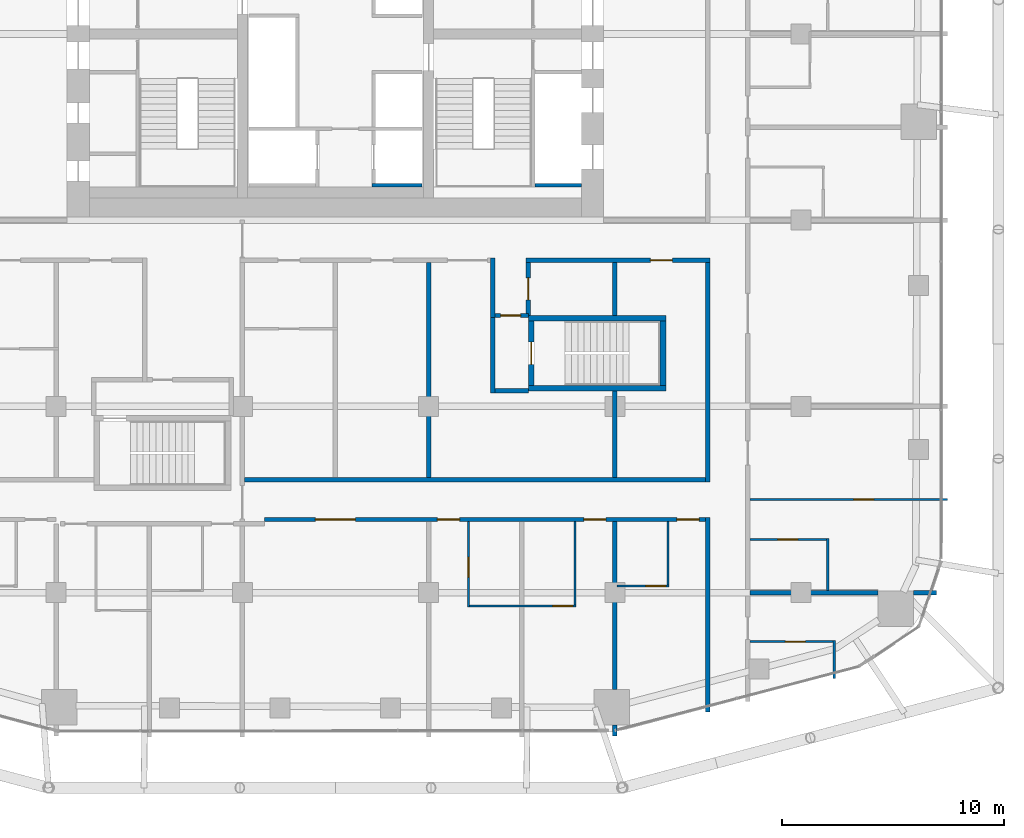
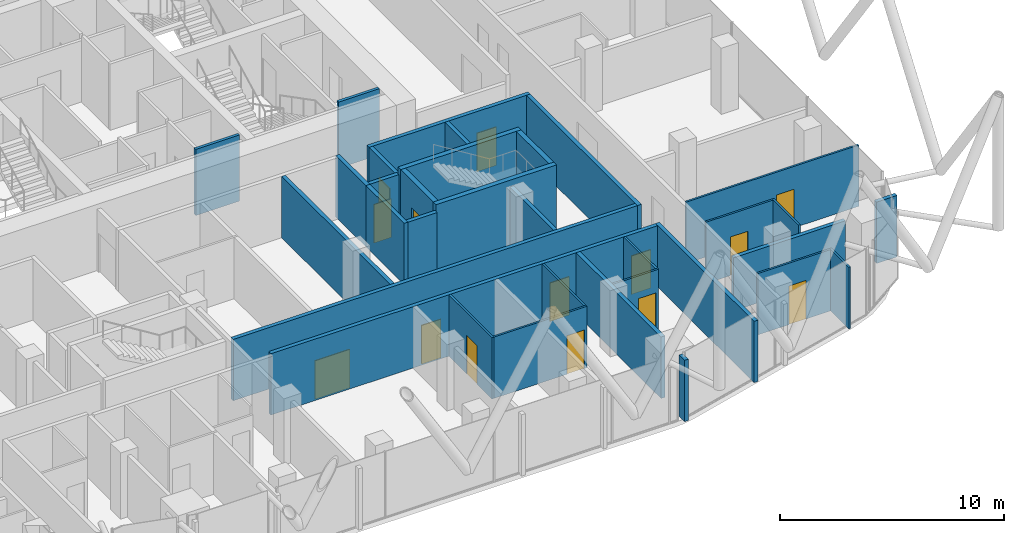
# One storey, part 29 of 36: 33 walls, 14 doors, 14 openings.
"""IFC4 building model written with IfcOpenShell, lengths in metres."""

import ifcopenshell
import ifcopenshell.guid

model = None  # the IFC model being written
_history = None  # IfcOwnerHistory: only IFC2X3 demands one
_inside = {}  # id of a spatial element -> (the spatial element, [elements in it])
_under = {}  # id of a project, library or spatial element -> (it, [spatial elements below it])
_declared = {}  # id of a project -> (the project, [libraries it declares])
_typed = {}  # id of a type object -> (the type object, [elements of that type])
_made_of = {}  # id of a material, layer set ... -> (it, [elements and type objects made of it])


def new_model(schema):
    """Start an empty IFC model of exactly this schema.

    Asked for "IFC4X3", IfcOpenShell would pick the latest addendum, in which some entities
    have other attributes; the version numbers below select the first issue.
    IFC2X3 requires an IfcOwnerHistory on every rooted entity: one is made here for all.
    """
    global model, _history
    if schema == "IFC4X3":
        model = ifcopenshell.file(schema_version=(4, 3, 0, 0))
    else:
        model = ifcopenshell.file(schema=schema)
    _inside.clear()
    _under.clear()
    _declared.clear()
    _typed.clear()
    _made_of.clear()
    _history = None
    if model.schema == "IFC2X3":
        org = make("IfcOrganization", Name="unknown")
        user = make(
            "IfcPersonAndOrganization",
            ThePerson=make("IfcPerson", FamilyName="unknown"),
            TheOrganization=org,
        )
        app = make(
            "IfcApplication",
            ApplicationDeveloper=org,
            Version="unknown",
            ApplicationFullName="unknown",
            ApplicationIdentifier="unknown",
        )
        _history = make(
            "IfcOwnerHistory",
            OwningUser=user,
            OwningApplication=app,
            ChangeAction="ADDED",
            CreationDate=0,
        )
    return model


def make(cls, **values):
    """One entity of the class cls with the attributes given. An attribute that is None is left unset."""
    return model.create_entity(
        cls, **{name: value for name, value in values.items() if value is not None}
    )


def rooted(cls, **values):
    """An entity with a GlobalId (a new one), such as an element, a storey or a relation."""
    return make(cls, GlobalId=ifcopenshell.guid.new(), OwnerHistory=_history, **values)


def si_unit(unit_type, name, prefix=None):
    """IfcSIUnit, for example si_unit("LENGTHUNIT", "METRE", prefix="MILLI")."""
    return make("IfcSIUnit", UnitType=unit_type, Prefix=prefix, Name=name)


def assignment(units):
    """IfcUnitAssignment: the units of a project."""
    return None if units is None else make("IfcUnitAssignment", Units=units)


def point(xyz):
    """IfcCartesianPoint."""
    return None if xyz is None else make("IfcCartesianPoint", Coordinates=xyz)


def direction(xyz):
    """IfcDirection."""
    return None if xyz is None else make("IfcDirection", DirectionRatios=xyz)


def frame(location, z_axis=None, x_axis=None):
    """IfcAxis2Placement3D, a coordinate frame: its origin and axes. An axis left out is left unset."""
    return make(
        "IfcAxis2Placement3D",
        Location=point(location),
        Axis=direction(z_axis),
        RefDirection=direction(x_axis),
    )


def frame_2d(location, x_axis=None):
    """IfcAxis2Placement2D, a coordinate frame in the plane: its origin and x axis."""
    return make(
        "IfcAxis2Placement2D", Location=point(location), RefDirection=direction(x_axis)
    )


def origin():
    """The frame at (0, 0, 0) with its axes left unset."""
    return frame((0.0, 0.0, 0.0))


def place(relative_to, where):
    """IfcLocalPlacement: puts the frame where relative to a parent placement (None: the world)."""
    return make(
        "IfcLocalPlacement", PlacementRelTo=relative_to, RelativePlacement=where
    )


def context(
    kind, dimensions, precision=None, world=None, true_north=None, identifier=None
):
    """IfcGeometricRepresentationContext, for example the 3D "Model" context."""
    return make(
        "IfcGeometricRepresentationContext",
        ContextIdentifier=identifier,
        ContextType=kind,
        CoordinateSpaceDimension=dimensions,
        Precision=precision,
        WorldCoordinateSystem=world,
        TrueNorth=true_north,
    )


def subcontext(parent, identifier, kind, view, scale=None):
    """IfcGeometricRepresentationSubContext, for example "Body" below "Model"."""
    return make(
        "IfcGeometricRepresentationSubContext",
        ContextIdentifier=identifier,
        ContextType=kind,
        ParentContext=parent,
        TargetScale=scale,
        TargetView=view,
    )


def project(units=None, contexts=None):
    """IfcProject with its units and contexts."""
    return rooted(
        "IfcProject",
        Name="project",
        RepresentationContexts=contexts,
        UnitsInContext=assignment(units),
    )


def spatial(cls, under=None, at=None, **own):
    """A site, building, storey or space (cls), placed at a placement, below another one or the project."""
    s = rooted(cls, ObjectPlacement=at, **own)
    if under is not None:
        _under.setdefault(under.id(), (under, []))[1].append(s)
    return s


def profile(cls, at=None, kind="AREA", **sizes):
    """A parametric profile (cls). Its sizes go by their IFC names, for example OverallWidth=200.0."""
    return make(cls, ProfileType=kind, Position=at, **sizes)


def rectangle(**sizes):
    """IfcRectangleProfileDef."""
    return profile("IfcRectangleProfileDef", **sizes)


def extrude(swept, where, along, depth):
    """IfcExtrudedAreaSolid: the profile swept, set in the frame where, extruded along a direction by depth."""
    return make(
        "IfcExtrudedAreaSolid",
        SweptArea=swept,
        Position=where,
        ExtrudedDirection=direction(along),
        Depth=depth,
    )


def shape(context_of_items, identifier, shape_type, items):
    """IfcShapeRepresentation: the items that make up one representation, for example the "Body"."""
    return make(
        "IfcShapeRepresentation",
        ContextOfItems=context_of_items,
        RepresentationIdentifier=identifier,
        RepresentationType=shape_type,
        Items=items,
    )


def material(Name=None, Category=None):
    """IfcMaterial."""
    return make("IfcMaterial", Name=Name, Category=Category)


def layer(
    of_material, thickness, ventilated=None, Name=None, Category=None, Priority=None
):
    """IfcMaterialLayer: one layer of a wall or slab, of a material (None: an air gap)."""
    return make(
        "IfcMaterialLayer",
        Material=of_material,
        LayerThickness=thickness,
        IsVentilated=ventilated,
        Name=Name,
        Category=Category,
        Priority=Priority,
    )


def layer_set(layers, Name=None):
    """IfcMaterialLayerSet."""
    return make("IfcMaterialLayerSet", MaterialLayers=layers, LayerSetName=Name)


def made_of(thing, what):
    """Note that an element or type object is made of a material, layer set ...; save() writes the relation."""
    if what is not None:
        _made_of.setdefault(what.id(), (what, []))[1].append(thing)
    return thing


def type_object(cls, material=None, **own):
    """A type object (cls), such as IfcWallType, which elements share."""
    return made_of(rooted(cls, **own), material)


def element(
    cls,
    number,
    at=None,
    inside=None,
    cuts=None,
    type_object=None,
    material=None,
    context=None,
    identifier="Body",
    shape_type=None,
    held_by="IfcProductDefinitionShape",
    body=None,
    shapes=None,
    **own,
):
    """One element of the class cls, such as IfcWall. Its Tag is "e" and its number.

    at: its placement. inside: the storey or other place that contains it. cuts: it is an
    opening in that element (IfcRelVoidsElement). A single representation is given by context,
    identifier, shape_type and body (its items); several are given by shapes. held_by: the class
    of the entity that holds the representations. save() writes the other relations.
    """
    e = rooted(cls, Tag="e%d" % number, ObjectPlacement=at, **own)
    if body is not None:
        shapes = [shape(context, identifier, shape_type, body)]
    if shapes is not None:
        e.Representation = make(held_by, Representations=shapes)
    if inside is not None:
        _inside.setdefault(inside.id(), (inside, []))[1].append(e)
    if cuts is not None:
        rooted(
            "IfcRelVoidsElement", RelatingBuildingElement=cuts, RelatedOpeningElement=e
        )
    if type_object is not None:
        _typed.setdefault(type_object.id(), (type_object, []))[1].append(e)
    return made_of(e, material)


def fill(opening, filler):
    """IfcRelFillsElement: the door or window that sits in an opening."""
    return rooted(
        "IfcRelFillsElement",
        RelatingOpeningElement=opening,
        RelatedBuildingElement=filler,
    )


def aggregate(whole, parts):
    """IfcRelAggregates: a whole, such as a stair, and the parts it consists of."""
    return rooted("IfcRelAggregates", RelatingObject=whole, RelatedObjects=parts)


def save(model, path):
    """Write the relations noted so far, then the file.

    IfcRelAggregates (storeys below a building ...), IfcRelContainedInSpatialStructure (elements
    in a storey), IfcRelDefinesByType, IfcRelAssociatesMaterial and IfcRelDeclares: one each for
    every whole, place, type object, material and project.
    """
    for whole, parts in _under.values():
        aggregate(whole, parts)
    for where, things in _inside.values():
        rooted(
            "IfcRelContainedInSpatialStructure",
            RelatedElements=things,
            RelatingStructure=where,
        )
    for kind, things in _typed.values():
        rooted("IfcRelDefinesByType", RelatedObjects=things, RelatingType=kind)
    for what, things in _made_of.values():
        rooted("IfcRelAssociatesMaterial", RelatedObjects=things, RelatingMaterial=what)
    for by, libraries in _declared.values():
        rooted("IfcRelDeclares", RelatingContext=by, RelatedDefinitions=libraries)
    model.write(path)


model = new_model("IFC4")

# Units and contexts
model_context = context("Model", 3, precision=1e-05, world=origin(), true_north=direction((0.0, 1.0)))
body_context = subcontext(model_context, "Body", "Model", "MODEL_VIEW")
ifc_project = project(units=[si_unit("LENGTHUNIT", "METRE"), si_unit("AREAUNIT", "SQUARE_METRE"), si_unit("VOLUMEUNIT", "CUBIC_METRE"), si_unit("PLANEANGLEUNIT", "RADIAN"), si_unit("MASSUNIT", "GRAM", prefix="KILO")], contexts=[model_context])

# Site, building, storey
site_placement = place(None, origin())
site = spatial("IfcSite", under=ifc_project, at=site_placement, CompositionType="ELEMENT")
building_placement = place(site_placement, origin())
building = spatial("IfcBuilding", under=site, at=building_placement, Name="Marenta Gate Hotel Tower", CompositionType="ELEMENT")
storey_placement = place(building_placement, frame((0.0, 0.0, 115.699951171875)))
storey = spatial("IfcBuildingStorey", under=building, at=storey_placement, Name="L25", CompositionType="ELEMENT", Elevation=115.699951171875)

# Walls
ifc_material_1 = material(Name="Concrete C40", Category="concrete")
ifc_layer_1 = layer(ifc_material_1, 0.14990234375)
ifc_layer_set_1 = layer_set([ifc_layer_1], Name="Concrete C40")
wall_type_1 = type_object("IfcWallType", Name="Core shaft wall 150 REI 180", PredefinedType="SHEAR", material=ifc_layer_set_1)
wall_1_placement = place(storey_placement, frame((9.0, 1.574951171875, 0.0), z_axis=(0.0, 0.0, 1.0), x_axis=(1.0, 0.0, 0.0)))
element("IfcWall", 1, at=wall_1_placement, inside=storey, type_object=wall_type_1, Name="L25-SHF-SW-ES-5", PredefinedType="SHEAR", context=body_context, shape_type="SweptSolid", body=[
    extrude(rectangle(XDim=2.10009765625, YDim=0.14990234375, at=frame_2d((1.050048828125, 0.0))), origin(), (0.0, 0.0, 1.0), 3.60009765625),
])
wall_2_placement = place(storey_placement, frame((1.64990234375, 1.574951171875, 0.0), z_axis=(0.0, 0.0, 1.0), x_axis=(1.0, 0.0, 0.0)))
element("IfcWall", 2, at=wall_2_placement, inside=storey, type_object=wall_type_1, Name="L25-SHF-CE-S-bot", PredefinedType="SHEAR", context=body_context, shape_type="SweptSolid", body=[
    extrude(rectangle(XDim=2.25, YDim=0.14990234375, at=frame_2d((1.125, 0.0))), origin(), (0.0, 0.0, 1.0), 3.60009765625),
])
ifc_material_2 = material(Name="Concrete C40", Category="concrete")
ifc_layer_2 = layer(ifc_material_2, 0.25)
ifc_layer_set_2 = layer_set([ifc_layer_2], Name="Concrete C40")
wall_type_2 = type_object("IfcWallType", Name="Remote stair enclosure wall 250 REI 180", PredefinedType="SHEAR", material=ifc_layer_set_2)
for number, where, z_axis, x_axis, name in (
    (3, (8.699951171875, -7.574951171875, 0.10009765625), (0.0, 0.0, 1.0), (1.0, 0.0, 0.0), "L25-RS-Z2-2-W1"),
    (4, (8.699951171875, -4.425048828125, 0.10009765625), (0.0, 0.0, 1.0), (1.0, 0.0, 0.0), "L25-RS-Z2-2-W2"),
):
    element("IfcWall", number, at=place(storey_placement, frame(where, z_axis=z_axis, x_axis=x_axis)), inside=storey, type_object=wall_type_2, Name=name, PredefinedType="SHEAR", context=body_context, shape_type="SweptSolid", body=[
        extrude(rectangle(XDim=6.199951171875, YDim=0.25, at=frame_2d((3.10009765625, 0.0))), origin(), (0.0, 0.0, 1.0), 3.599853515625),
    ])

# Wall, opening, door
wall_3_placement = place(storey_placement, frame((8.824951171875, -7.449951171875, 0.10009765625), z_axis=(0.0, 0.0, 1.0), x_axis=(0.0, 1.0, 0.0)))
wall_3 = element("IfcWall", 5, at=wall_3_placement, inside=storey, type_object=wall_type_2, Name="L25-RS-Z2-2-W3", PredefinedType="SHEAR", context=body_context, shape_type="SweptSolid", body=[
    extrude(rectangle(XDim=2.89990234375, YDim=0.25, at=frame_2d((1.449951171875, 0.0))), origin(), (0.0, 0.0, 1.0), 3.599853515625),
])
opening_1_placement = place(wall_3_placement, frame((0.949951171875, 0.0, 0.0)))
opening_1 = element("IfcOpeningElement", 6, at=opening_1_placement, cuts=wall_3, Name="Opening VD", PredefinedType="OPENING", context=body_context, shape_type="SweptSolid", body=[
    extrude(rectangle(XDim=1.0, YDim=2.10009765625, at=frame_2d((0.5, 1.050048828125))), frame((0.0, 0.125, 0.0), z_axis=(0.0, -1.0, 0.0), x_axis=(1.0, 0.0, 0.0)), (0.0, 0.0, 1.0), 0.25),
])
ifc_material_3 = material(Name="Steel", Category="steel")
door_type_1 = type_object("IfcDoorType", Name="Stair vestibule door 1000x2100 FD60", OperationType="SINGLE_SWING_LEFT", PredefinedType="DOOR", material=ifc_material_3)
door_1_placement = place(opening_1_placement, origin())
door_1 = element("IfcDoor", 7, at=door_1_placement, inside=storey, type_object=door_type_1, Name="VD", OperationType="SINGLE_SWING_LEFT", OverallHeight=2.10009765625, OverallWidth=1.0, PredefinedType="DOOR", context=body_context, shape_type="SweptSolid", body=[
    extrude(rectangle(XDim=1.0, YDim=2.10009765625, at=frame_2d((0.5, 1.050048828125))), frame((0.0, 0.02490234375, 0.0), z_axis=(0.0, -1.0, 0.0), x_axis=(1.0, 0.0, 0.0)), (0.0, 0.0, 1.0), 0.050048828125),
])
fill(opening_1, door_1)

# Walls
wall_4_placement = place(storey_placement, frame((14.77490234375, -7.449951171875, 0.10009765625), z_axis=(0.0, 0.0, 1.0), x_axis=(0.0, 1.0, 0.0)))
element("IfcWall", 8, at=wall_4_placement, inside=storey, type_object=wall_type_2, Name="L25-RS-Z2-2-W4", PredefinedType="SHEAR", context=body_context, shape_type="SweptSolid", body=[
    extrude(rectangle(XDim=2.89990234375, YDim=0.25, at=frame_2d((1.449951171875, 0.0))), origin(), (0.0, 0.0, 1.0), 3.599853515625),
])
ifc_material_4 = material(Name="Concrete blockwork", Category="masonry")
ifc_layer_3 = layer(ifc_material_4, 0.199951171875)
ifc_layer_set_3 = layer_set([ifc_layer_3], Name="Concrete blockwork")
wall_type_3 = type_object("IfcWallType", Name="Room corridor wall 200 EI 120", PredefinedType="PARTITIONING", material=ifc_layer_set_3)
wall_5_placement = place(storey_placement, frame((-4.10009765625, -11.699951171875, 0.0), z_axis=(0.0, 0.0, 1.0), x_axis=(1.0, 0.0, 0.0)))
element("IfcWall", 9, at=wall_5_placement, inside=storey, type_object=wall_type_3, Name="L25-PTN-W034", PredefinedType="PARTITIONING", context=body_context, shape_type="SweptSolid", body=[
    extrude(rectangle(XDim=20.800048828125, YDim=0.199951171875, at=frame_2d((10.39990234375, 0.0))), origin(), (0.0, 0.0, 1.0), 3.340087890625),
])
ifc_material_5 = material(Name="Gypsum board on steel stud", Category="steel")
ifc_layer_4 = layer(ifc_material_5, 0.199951171875)
ifc_layer_set_4 = layer_set([ifc_layer_4], Name="Gypsum board on steel stud")
wall_type_4 = type_object("IfcWallType", Name="Room corridor wall 200 EI 60", PredefinedType="PARTITIONING", material=ifc_layer_set_4)
wall_6_placement = place(storey_placement, frame((16.800048828125, -22.18603515625, 0.0), z_axis=(0.0, 0.0, 1.0), x_axis=(0.0, 1.0, 0.0)))
element("IfcWall", 10, at=wall_6_placement, inside=storey, type_object=wall_type_4, Name="L25-PTN-W014", PredefinedType="PARTITIONING", context=body_context, shape_type="SweptSolid", body=[
    extrude(rectangle(XDim=8.7861328125, YDim=0.199951171875, at=frame_2d((4.39306640625, 0.0))), origin(), (0.0, 0.0, 1.0), 3.340087890625),
])
wall_7_placement = place(storey_placement, frame((16.800048828125, -11.800048828125, 0.0), z_axis=(0.0, 0.0, 1.0), x_axis=(0.0, 1.0, 0.0)))
element("IfcWall", 11, at=wall_7_placement, inside=storey, type_object=wall_type_4, Name="L25-PTN-W015", PredefinedType="PARTITIONING", context=body_context, shape_type="SweptSolid", body=[
    extrude(rectangle(XDim=9.900146484375, YDim=0.199951171875, at=frame_2d((4.9501953125, 0.0))), origin(), (0.0, 0.0, 1.0), 3.340087890625),
])

# Wall, openings, doors
wall_8_placement = place(storey_placement, frame((-3.199951171875, -13.5, 0.0), z_axis=(0.0, 0.0, 1.0), x_axis=(1.0, 0.0, 0.0)))
wall_8 = element("IfcWall", 12, at=wall_8_placement, inside=storey, type_object=wall_type_4, Name="L25-PTN-W027", PredefinedType="PARTITIONING", context=body_context, shape_type="SweptSolid", body=[
    extrude(rectangle(XDim=19.89990234375, YDim=0.199951171875, at=frame_2d((9.949951171875, 0.0))), origin(), (0.0, 0.0, 1.0), 3.340087890625),
])
opening_2_placement = place(wall_8_placement, frame((2.300048828125, 0.0, 0.0)))
opening_2 = element("IfcOpeningElement", 13, at=opening_2_placement, cuts=wall_8, Name="Opening G09-47", PredefinedType="OPENING", context=body_context, shape_type="SweptSolid", body=[
    extrude(rectangle(XDim=1.800048828125, YDim=2.10009765625, at=frame_2d((0.89990234375, 1.050048828125))), frame((0.0, 0.10009765625, 0.0), z_axis=(0.0, -1.0, 0.0), x_axis=(1.0, 0.0, 0.0)), (0.0, 0.0, 1.0), 0.199951171875),
])
opening_3_placement = place(wall_8_placement, frame((7.800048828125, 0.0, 0.0)))
opening_3 = element("IfcOpeningElement", 14, at=opening_3_placement, cuts=wall_8, Name="Opening G09-48", PredefinedType="OPENING", context=body_context, shape_type="SweptSolid", body=[
    extrude(rectangle(XDim=1.0, YDim=2.10009765625, at=frame_2d((0.5, 1.050048828125))), frame((0.0, 0.10009765625, 0.0), z_axis=(0.0, -1.0, 0.0), x_axis=(1.0, 0.0, 0.0)), (0.0, 0.0, 1.0), 0.199951171875),
])
opening_4_placement = place(wall_8_placement, frame((14.39990234375, 0.0, 0.0)))
opening_4 = element("IfcOpeningElement", 15, at=opening_4_placement, cuts=wall_8, Name="Opening G09-50", PredefinedType="OPENING", context=body_context, shape_type="SweptSolid", body=[
    extrude(rectangle(XDim=1.0, YDim=2.10009765625, at=frame_2d((0.5, 1.050048828125))), frame((0.0, 0.10009765625, 0.0), z_axis=(0.0, -1.0, 0.0), x_axis=(1.0, 0.0, 0.0)), (0.0, 0.0, 1.0), 0.199951171875),
])
opening_5_placement = place(wall_8_placement, frame((18.60009765625, 0.0, 0.0)))
opening_5 = element("IfcOpeningElement", 16, at=opening_5_placement, cuts=wall_8, Name="Opening G09-52", PredefinedType="OPENING", context=body_context, shape_type="SweptSolid", body=[
    extrude(rectangle(XDim=1.0, YDim=2.10009765625, at=frame_2d((0.5, 1.050048828125))), frame((0.0, 0.10009765625, 0.0), z_axis=(0.0, -1.0, 0.0), x_axis=(1.0, 0.0, 0.0)), (0.0, 0.0, 1.0), 0.199951171875),
])
ifc_material_6 = material(Name="Timber door leaf", Category="wood")
door_type_2 = type_object("IfcDoorType", Name="Guest room door 1000x2100 EI 30", OperationType="NOTDEFINED", PredefinedType="DOOR", material=ifc_material_6)
door_2_placement = place(opening_3_placement, origin())
door_2 = element("IfcDoor", 17, at=door_2_placement, inside=storey, type_object=door_type_2, Name="L25-PD-D048", OperationType="SINGLE_SWING_RIGHT", OverallHeight=2.10009765625, OverallWidth=1.0, PredefinedType="DOOR", context=body_context, shape_type="SweptSolid", body=[
    extrude(rectangle(XDim=1.0, YDim=2.10009765625, at=frame_2d((0.5, 1.050048828125))), frame((0.0, 0.02490234375, 0.0), z_axis=(0.0, -1.0, 0.0), x_axis=(1.0, 0.0, 0.0)), (0.0, 0.0, 1.0), 0.050048828125),
])
fill(opening_3, door_2)
door_3_placement = place(opening_4_placement, origin())
door_3 = element("IfcDoor", 18, at=door_3_placement, inside=storey, type_object=door_type_2, Name="L25-PD-D050", OperationType="SINGLE_SWING_RIGHT", OverallHeight=2.10009765625, OverallWidth=1.0, PredefinedType="DOOR", context=body_context, shape_type="SweptSolid", body=[
    extrude(rectangle(XDim=1.0, YDim=2.10009765625, at=frame_2d((0.5, 1.050048828125))), frame((0.0, 0.02490234375, 0.0), z_axis=(0.0, -1.0, 0.0), x_axis=(1.0, 0.0, 0.0)), (0.0, 0.0, 1.0), 0.050048828125),
])
fill(opening_4, door_3)
door_4_placement = place(opening_5_placement, origin())
door_4 = element("IfcDoor", 19, at=door_4_placement, inside=storey, type_object=door_type_2, Name="L25-PD-D052", OperationType="SINGLE_SWING_LEFT", OverallHeight=2.10009765625, OverallWidth=1.0, PredefinedType="DOOR", context=body_context, shape_type="SweptSolid", body=[
    extrude(rectangle(XDim=1.0, YDim=2.10009765625, at=frame_2d((0.5, 1.050048828125))), frame((0.0, 0.02490234375, 0.0), z_axis=(0.0, -1.0, 0.0), x_axis=(1.0, 0.0, 0.0)), (0.0, 0.0, 1.0), 0.050048828125),
])
fill(opening_5, door_4)
ifc_material_7 = material(Name="Timber door leaf", Category="wood")
door_type_3 = type_object("IfcDoorType", Name="Room amenity door 1800x2100 EI 30", OperationType="DOUBLE_DOOR_SINGLE_SWING", PredefinedType="DOOR", material=ifc_material_7)
door_5_placement = place(opening_2_placement, origin())
door_5 = element("IfcDoor", 20, at=door_5_placement, inside=storey, type_object=door_type_3, Name="L25-PD-D047", OperationType="DOUBLE_DOOR_SINGLE_SWING", OverallHeight=2.10009765625, OverallWidth=1.800048828125, PredefinedType="DOOR", context=body_context, shape_type="SweptSolid", body=[
    extrude(rectangle(XDim=1.800048828125, YDim=2.10009765625, at=frame_2d((0.89990234375, 1.050048828125))), frame((0.0, 0.02490234375, 0.0), z_axis=(0.0, -1.0, 0.0), x_axis=(1.0, 0.0, 0.0)), (0.0, 0.0, 1.0), 0.050048828125),
])
fill(opening_2, door_5)

# Wall, opening, door
wall_9_placement = place(storey_placement, frame((8.699951171875, -4.300048828125, 0.0), z_axis=(0.0, 0.0, 1.0), x_axis=(0.0, 1.0, 0.0)))
wall_9 = element("IfcWall", 21, at=wall_9_placement, inside=storey, type_object=wall_type_4, Name="L25-PTN-W038", PredefinedType="PARTITIONING", context=body_context, shape_type="SweptSolid", body=[
    extrude(rectangle(XDim=2.400146484375, YDim=0.199951171875, at=frame_2d((1.2001953125, 0.0))), origin(), (0.0, 0.0, 1.0), 3.340087890625),
])
opening_6_placement = place(wall_9_placement, frame((0.699951171875, 0.0, 0.0)))
opening_6 = element("IfcOpeningElement", 22, at=opening_6_placement, cuts=wall_9, Name="Opening G09-73", PredefinedType="OPENING", context=body_context, shape_type="SweptSolid", body=[
    extrude(rectangle(XDim=1.0, YDim=2.10009765625, at=frame_2d((0.5, 1.050048828125))), frame((0.0, 0.10009765625, 0.0), z_axis=(0.0, -1.0, 0.0), x_axis=(1.0, 0.0, 0.0)), (0.0, 0.0, 1.0), 0.199951171875),
])
ifc_material_8 = material(Name="Timber door leaf", Category="wood")
door_type_4 = type_object("IfcDoorType", Name="Room amenity door 1000x2100 EI 30", OperationType="NOTDEFINED", PredefinedType="DOOR", material=ifc_material_8)
door_6_placement = place(opening_6_placement, origin())
door_6 = element("IfcDoor", 23, at=door_6_placement, inside=storey, type_object=door_type_4, Name="L25-PD-D073", OperationType="SINGLE_SWING_LEFT", OverallHeight=2.10009765625, OverallWidth=1.0, PredefinedType="DOOR", context=body_context, shape_type="SweptSolid", body=[
    extrude(rectangle(XDim=1.0, YDim=2.10009765625, at=frame_2d((0.5, 1.050048828125))), frame((0.0, 0.02490234375, 0.0), z_axis=(0.0, -1.0, 0.0), x_axis=(1.0, 0.0, 0.0)), (0.0, 0.0, 1.0), 0.050048828125),
])
fill(opening_6, door_6)

# Wall
wall_10_placement = place(storey_placement, frame((7.10009765625, -4.39990234375, 0.0), z_axis=(0.0, 0.0, 1.0), x_axis=(0.0, 1.0, 0.0)))
element("IfcWall", 24, at=wall_10_placement, inside=storey, type_object=wall_type_4, Name="L25-PTN-W047", PredefinedType="PARTITIONING", context=body_context, shape_type="SweptSolid", body=[
    extrude(rectangle(XDim=2.699951171875, YDim=0.199951171875, at=frame_2d((1.35009765625, 0.0))), origin(), (0.0, 0.0, 1.0), 3.340087890625),
])

# Wall, opening, door
wall_11_placement = place(storey_placement, frame((8.60009765625, -1.800048828125, 0.0), z_axis=(0.0, 0.0, 1.0), x_axis=(1.0, 0.0, 0.0)))
wall_11 = element("IfcWall", 25, at=wall_11_placement, inside=storey, type_object=wall_type_4, Name="L25-PTN-W061", PredefinedType="PARTITIONING", context=body_context, shape_type="SweptSolid", body=[
    extrude(rectangle(XDim=8.2998046875, YDim=0.199951171875, at=frame_2d((4.14990234375, 0.0))), origin(), (0.0, 0.0, 1.0), 3.340087890625),
])
opening_7_placement = place(wall_11_placement, frame((5.60009765625, 0.0, 0.0)))
opening_7 = element("IfcOpeningElement", 26, at=opening_7_placement, cuts=wall_11, Name="Opening G09-08", PredefinedType="OPENING", context=body_context, shape_type="SweptSolid", body=[
    extrude(rectangle(XDim=1.0, YDim=2.10009765625, at=frame_2d((0.5, 1.050048828125))), frame((0.0, 0.10009765625, 0.0), z_axis=(0.0, -1.0, 0.0), x_axis=(1.0, 0.0, 0.0)), (0.0, 0.0, 1.0), 0.199951171875),
])
door_7_placement = place(opening_7_placement, origin())
door_7 = element("IfcDoor", 27, at=door_7_placement, inside=storey, type_object=door_type_4, Name="L25-PD-D008", OperationType="SINGLE_SWING_RIGHT", OverallHeight=2.10009765625, OverallWidth=1.0, PredefinedType="DOOR", context=body_context, shape_type="SweptSolid", body=[
    extrude(rectangle(XDim=1.0, YDim=2.10009765625, at=frame_2d((0.5, 1.050048828125))), frame((0.0, 0.02490234375, 0.0), z_axis=(0.0, -1.0, 0.0), x_axis=(1.0, 0.0, 0.0)), (0.0, 0.0, 1.0), 0.050048828125),
])
fill(opening_7, door_7)

ifc_material_9 = material(Name="Concrete blockwork", Category="masonry")
ifc_layer_5 = layer(ifc_material_9, 0.199951171875)
ifc_layer_set_5 = layer_set([ifc_layer_5], Name="Concrete blockwork")
wall_type_5 = type_object("IfcWallType", Name="Room corridor wall 200 REI 180", PredefinedType="PARTITIONING", material=ifc_layer_set_5)
wall_12_placement = place(storey_placement, frame((7.199951171875, -4.300048828125, 0.0), z_axis=(0.0, 0.0, 1.0), x_axis=(1.0, 0.0, 0.0)))
wall_12 = element("IfcWall", 28, at=wall_12_placement, inside=storey, type_object=wall_type_5, Name="L25-PTN-W052", PredefinedType="PARTITIONING", context=body_context, shape_type="SweptSolid", body=[
    extrude(rectangle(XDim=1.5, YDim=0.199951171875, at=frame_2d((0.75, 0.0))), origin(), (0.0, 0.0, 1.0), 3.340087890625),
])
opening_8_placement = place(wall_12_placement, frame((0.25, 0.0, 0.0)))
opening_8 = element("IfcOpeningElement", 29, at=opening_8_placement, cuts=wall_12, Name="Opening G09-70", PredefinedType="OPENING", context=body_context, shape_type="SweptSolid", body=[
    extrude(rectangle(XDim=0.89990234375, YDim=2.10009765625, at=frame_2d((0.449951171875, 1.050048828125))), frame((0.0, 0.10009765625, 0.0), z_axis=(0.0, -1.0, 0.0), x_axis=(1.0, 0.0, 0.0)), (0.0, 0.0, 1.0), 0.199951171875),
])
ifc_material_10 = material(Name="Hollow steel door set", Category="steel")
door_type_5 = type_object("IfcDoorType", Name="Stair vestibule door 900x2100 EI 60", OperationType="NOTDEFINED", PredefinedType="DOOR", material=ifc_material_10)
door_8_placement = place(opening_8_placement, origin())
door_8 = element("IfcDoor", 30, at=door_8_placement, inside=storey, type_object=door_type_5, Name="L25-PD-D070", OperationType="SINGLE_SWING_RIGHT", OverallHeight=2.10009765625, OverallWidth=0.89990234375, PredefinedType="DOOR", context=body_context, shape_type="SweptSolid", body=[
    extrude(rectangle(XDim=0.89990234375, YDim=2.10009765625, at=frame_2d((0.449951171875, 1.050048828125))), frame((0.0, 0.02490234375, 0.0), z_axis=(0.0, -1.0, 0.0), x_axis=(1.0, 0.0, 0.0)), (0.0, 0.0, 1.0), 0.050048828125),
])
fill(opening_8, door_8)

# Walls
ifc_material_11 = material(Name="Gypsum board on steel stud", Category="steel")
ifc_layer_6 = layer(ifc_material_11, 0.10009765625)
ifc_layer_set_6 = layer_set([ifc_layer_6], Name="Gypsum board on steel stud")
wall_type_6 = type_object("IfcWallType", Name="Room partition 100", PredefinedType="PARTITIONING", material=ifc_layer_set_6)
wall_13_placement = place(storey_placement, frame((22.5, -20.674072265625, 0.0), z_axis=(0.0, 0.0, 1.0), x_axis=(0.0, 1.0, 0.0)))
element("IfcWall", 31, at=wall_13_placement, inside=storey, type_object=wall_type_6, Name="L25-PTN-W001", PredefinedType="PARTITIONING", context=body_context, shape_type="SweptSolid", body=[
    extrude(rectangle(XDim=1.716064453125, YDim=0.10009765625, at=frame_2d((0.85791015625, 0.0))), origin(), (0.0, 0.0, 1.0), 3.340087890625),
])
wall_14_placement = place(storey_placement, frame((22.199951171875, -16.699951171875, 0.0), z_axis=(0.0, 0.0, 1.0), x_axis=(0.0, 1.0, 0.0)))
element("IfcWall", 32, at=wall_14_placement, inside=storey, type_object=wall_type_6, Name="L25-PTN-W002", PredefinedType="PARTITIONING", context=body_context, shape_type="SweptSolid", body=[
    extrude(rectangle(XDim=2.349853515625, YDim=0.10009765625, at=frame_2d((1.1748046875, 0.0))), origin(), (0.0, 0.0, 1.0), 3.340087890625),
])

# Wall, opening, door
wall_15_placement = place(storey_placement, frame((18.699951171875, -19.008056640625, 0.0), z_axis=(0.0, 0.0, 1.0), x_axis=(1.0, 0.0, 0.0)))
wall_15 = element("IfcWall", 33, at=wall_15_placement, inside=storey, type_object=wall_type_6, Name="L25-PTN-W009", PredefinedType="PARTITIONING", context=body_context, shape_type="SweptSolid", body=[
    extrude(rectangle(XDim=3.75, YDim=0.10009765625, at=frame_2d((1.875, 0.0))), origin(), (0.0, 0.0, 1.0), 3.340087890625),
])
opening_9_placement = place(wall_15_placement, frame((1.594970703125, 0.0, 0.0)))
opening_9 = element("IfcOpeningElement", 34, at=opening_9_placement, cuts=wall_15, Name="Opening G09-10", PredefinedType="OPENING", context=body_context, shape_type="SweptSolid", body=[
    extrude(rectangle(XDim=0.89990234375, YDim=2.10009765625, at=frame_2d((0.449951171875, 1.050048828125))), frame((0.0, 0.050048828125, 0.0), z_axis=(0.0, -1.0, 0.0), x_axis=(1.0, 0.0, 0.0)), (0.0, 0.0, 1.0), 0.10009765625),
])
ifc_material_12 = material(Name="Timber door leaf", Category="wood")
door_type_6 = type_object("IfcDoorType", Name="Guest bathroom door 900x2100", OperationType="NOTDEFINED", PredefinedType="DOOR", material=ifc_material_12)
door_9_placement = place(opening_9_placement, origin())
door_9 = element("IfcDoor", 35, at=door_9_placement, inside=storey, type_object=door_type_6, Name="L25-PD-D010", OperationType="SINGLE_SWING_RIGHT", OverallHeight=2.10009765625, OverallWidth=0.89990234375, PredefinedType="DOOR", context=body_context, shape_type="SweptSolid", body=[
    extrude(rectangle(XDim=0.89990234375, YDim=2.10009765625, at=frame_2d((0.449951171875, 1.050048828125))), frame((0.0, 0.02490234375, 0.0), z_axis=(0.0, -1.0, 0.0), x_axis=(1.0, 0.0, 0.0)), (0.0, 0.0, 1.0), 0.050048828125),
])
fill(opening_9, door_9)

wall_16_placement = place(storey_placement, frame((6.050048828125, -17.39990234375, 0.0), z_axis=(0.0, 0.0, 1.0), x_axis=(1.0, 0.0, 0.0)))
wall_16 = element("IfcWall", 36, at=wall_16_placement, inside=storey, type_object=wall_type_6, Name="L25-PTN-W013", PredefinedType="PARTITIONING", context=body_context, shape_type="SweptSolid", body=[
    extrude(rectangle(XDim=4.800048828125, YDim=0.10009765625, at=frame_2d((2.39990234375, 0.0))), origin(), (0.0, 0.0, 1.0), 3.340087890625),
])
opening_10_placement = place(wall_16_placement, frame((3.75, 0.0, 0.0)))
opening_10 = element("IfcOpeningElement", 37, at=opening_10_placement, cuts=wall_16, Name="Opening G09-51", PredefinedType="OPENING", context=body_context, shape_type="SweptSolid", body=[
    extrude(rectangle(XDim=0.89990234375, YDim=2.10009765625, at=frame_2d((0.449951171875, 1.050048828125))), frame((0.0, 0.050048828125, 0.0), z_axis=(0.0, -1.0, 0.0), x_axis=(1.0, 0.0, 0.0)), (0.0, 0.0, 1.0), 0.10009765625),
])
door_10_placement = place(opening_10_placement, origin())
door_10 = element("IfcDoor", 38, at=door_10_placement, inside=storey, type_object=door_type_6, Name="L25-PD-D051", OperationType="SINGLE_SWING_RIGHT", OverallHeight=2.10009765625, OverallWidth=0.89990234375, PredefinedType="DOOR", context=body_context, shape_type="SweptSolid", body=[
    extrude(rectangle(XDim=0.89990234375, YDim=2.10009765625, at=frame_2d((0.449951171875, 1.050048828125))), frame((0.0, 0.02490234375, 0.0), z_axis=(0.0, -1.0, 0.0), x_axis=(1.0, 0.0, 0.0)), (0.0, 0.0, 1.0), 0.050048828125),
])
fill(opening_10, door_10)

wall_17_placement = place(storey_placement, frame((12.699951171875, -16.5, 0.0), z_axis=(0.0, 0.0, 1.0), x_axis=(1.0, 0.0, 0.0)))
wall_17 = element("IfcWall", 39, at=wall_17_placement, inside=storey, type_object=wall_type_6, Name="L25-PTN-W021", PredefinedType="PARTITIONING", context=body_context, shape_type="SweptSolid", body=[
    extrude(rectangle(XDim=2.35009765625, YDim=0.10009765625, at=frame_2d((1.175048828125, 0.0))), origin(), (0.0, 0.0, 1.0), 3.340087890625),
])
opening_11_placement = place(wall_17_placement, frame((1.300048828125, 0.0, 0.0)))
opening_11 = element("IfcOpeningElement", 40, at=opening_11_placement, cuts=wall_17, Name="Opening G09-53", PredefinedType="OPENING", context=body_context, shape_type="SweptSolid", body=[
    extrude(rectangle(XDim=0.89990234375, YDim=2.10009765625, at=frame_2d((0.449951171875, 1.050048828125))), frame((0.0, 0.050048828125, 0.0), z_axis=(0.0, -1.0, 0.0), x_axis=(1.0, 0.0, 0.0)), (0.0, 0.0, 1.0), 0.10009765625),
])
door_11_placement = place(opening_11_placement, origin())
door_11 = element("IfcDoor", 41, at=door_11_placement, inside=storey, type_object=door_type_6, Name="L25-PD-D053", OperationType="SINGLE_SWING_RIGHT", OverallHeight=2.10009765625, OverallWidth=0.89990234375, PredefinedType="DOOR", context=body_context, shape_type="SweptSolid", body=[
    extrude(rectangle(XDim=0.89990234375, YDim=2.10009765625, at=frame_2d((0.449951171875, 1.050048828125))), frame((0.0, 0.02490234375, 0.0), z_axis=(0.0, -1.0, 0.0), x_axis=(1.0, 0.0, 0.0)), (0.0, 0.0, 1.0), 0.050048828125),
])
fill(opening_11, door_11)

# Wall
wall_18_placement = place(storey_placement, frame((15.0, -16.449951171875, 0.0), z_axis=(0.0, 0.0, 1.0), x_axis=(0.0, 1.0, 0.0)))
element("IfcWall", 42, at=wall_18_placement, inside=storey, type_object=wall_type_6, Name="L25-PTN-W022", PredefinedType="PARTITIONING", context=body_context, shape_type="SweptSolid", body=[
    extrude(rectangle(XDim=2.849853515625, YDim=0.10009765625, at=frame_2d((1.4248046875, 0.0))), origin(), (0.0, 0.0, 1.0), 3.340087890625),
])

# Wall, opening, door
wall_19_placement = place(storey_placement, frame((18.699951171875, -14.39990234375, 0.0), z_axis=(0.0, 0.0, 1.0), x_axis=(1.0, 0.0, 0.0)))
wall_19 = element("IfcWall", 43, at=wall_19_placement, inside=storey, type_object=wall_type_6, Name="L25-PTN-W024", PredefinedType="PARTITIONING", context=body_context, shape_type="SweptSolid", body=[
    extrude(rectangle(XDim=3.449951171875, YDim=0.10009765625, at=frame_2d((1.72509765625, 0.0))), origin(), (0.0, 0.0, 1.0), 3.340087890625),
])
opening_12_placement = place(wall_19_placement, frame((1.25, 0.0, 0.0)))
opening_12 = element("IfcOpeningElement", 44, at=opening_12_placement, cuts=wall_19, Name="Opening G09-13", PredefinedType="OPENING", context=body_context, shape_type="SweptSolid", body=[
    extrude(rectangle(XDim=0.89990234375, YDim=2.10009765625, at=frame_2d((0.449951171875, 1.050048828125))), frame((0.0, 0.050048828125, 0.0), z_axis=(0.0, -1.0, 0.0), x_axis=(1.0, 0.0, 0.0)), (0.0, 0.0, 1.0), 0.10009765625),
])
door_12_placement = place(opening_12_placement, origin())
door_12 = element("IfcDoor", 45, at=door_12_placement, inside=storey, type_object=door_type_6, Name="L25-PD-D013", OperationType="SINGLE_SWING_RIGHT", OverallHeight=2.10009765625, OverallWidth=0.89990234375, PredefinedType="DOOR", context=body_context, shape_type="SweptSolid", body=[
    extrude(rectangle(XDim=0.89990234375, YDim=2.10009765625, at=frame_2d((0.449951171875, 1.050048828125))), frame((0.0, 0.02490234375, 0.0), z_axis=(0.0, -1.0, 0.0), x_axis=(1.0, 0.0, 0.0)), (0.0, 0.0, 1.0), 0.050048828125),
])
fill(opening_12, door_12)

wall_20_placement = place(storey_placement, frame((18.699951171875, -12.60009765625, 0.0), z_axis=(0.0, 0.0, 1.0), x_axis=(1.0, 0.0, 0.0)))
wall_20 = element("IfcWall", 46, at=wall_20_placement, inside=storey, type_object=wall_type_6, Name="L25-PTN-W032", PredefinedType="PARTITIONING", context=body_context, shape_type="SweptSolid", body=[
    extrude(rectangle(XDim=8.900146484375, YDim=0.10009765625, at=frame_2d((4.4501953125, 0.0))), origin(), (0.0, 0.0, 1.0), 3.340087890625),
])
opening_13_placement = place(wall_20_placement, frame((4.669921875, 0.0, 0.0)))
opening_13 = element("IfcOpeningElement", 47, at=opening_13_placement, cuts=wall_20, Name="Opening G09-12", PredefinedType="OPENING", context=body_context, shape_type="SweptSolid", body=[
    extrude(rectangle(XDim=0.89990234375, YDim=2.10009765625, at=frame_2d((0.449951171875, 1.050048828125))), frame((0.0, 0.050048828125, 0.0), z_axis=(0.0, -1.0, 0.0), x_axis=(1.0, 0.0, 0.0)), (0.0, 0.0, 1.0), 0.10009765625),
])
ifc_material_13 = material(Name="Timber door leaf", Category="wood")
door_type_7 = type_object("IfcDoorType", Name="Room inner door 900x2100", OperationType="NOTDEFINED", PredefinedType="DOOR", material=ifc_material_13)
door_13_placement = place(opening_13_placement, origin())
door_13 = element("IfcDoor", 48, at=door_13_placement, inside=storey, type_object=door_type_7, Name="L25-PD-D012", OperationType="SINGLE_SWING_RIGHT", OverallHeight=2.10009765625, OverallWidth=0.89990234375, PredefinedType="DOOR", context=body_context, shape_type="SweptSolid", body=[
    extrude(rectangle(XDim=0.89990234375, YDim=2.10009765625, at=frame_2d((0.449951171875, 1.050048828125))), frame((0.0, 0.02490234375, 0.0), z_axis=(0.0, -1.0, 0.0), x_axis=(1.0, 0.0, 0.0)), (0.0, 0.0, 1.0), 0.050048828125),
])
fill(opening_13, door_13)

# Wall
wall_21_placement = place(storey_placement, frame((10.800048828125, -17.35009765625, 0.0), z_axis=(0.0, 0.0, 1.0), x_axis=(0.0, 1.0, 0.0)))
element("IfcWall", 49, at=wall_21_placement, inside=storey, type_object=wall_type_6, Name="L25-PTN-W035", PredefinedType="PARTITIONING", context=body_context, shape_type="SweptSolid", body=[
    extrude(rectangle(XDim=3.75, YDim=0.10009765625, at=frame_2d((1.875, 0.0))), origin(), (0.0, 0.0, 1.0), 3.340087890625),
])

# Wall, opening, door
wall_22_placement = place(storey_placement, frame((6.0, -17.449951171875, 0.0), z_axis=(0.0, 0.0, 1.0), x_axis=(0.0, 1.0, 0.0)))
wall_22 = element("IfcWall", 50, at=wall_22_placement, inside=storey, type_object=wall_type_6, Name="L25-PTN-W049", PredefinedType="PARTITIONING", context=body_context, shape_type="SweptSolid", body=[
    extrude(rectangle(XDim=3.849853515625, YDim=0.10009765625, at=frame_2d((1.9248046875, 0.0))), origin(), (0.0, 0.0, 1.0), 3.340087890625),
])
opening_14_placement = place(wall_22_placement, frame((1.35498046875, 0.0, 0.0)))
opening_14 = element("IfcOpeningElement", 51, at=opening_14_placement, cuts=wall_22, Name="Opening G09-49", PredefinedType="OPENING", context=body_context, shape_type="SweptSolid", body=[
    extrude(rectangle(XDim=0.89990234375, YDim=2.10009765625, at=frame_2d((0.449951171875, 1.050048828125))), frame((0.0, 0.050048828125, 0.0), z_axis=(0.0, -1.0, 0.0), x_axis=(1.0, 0.0, 0.0)), (0.0, 0.0, 1.0), 0.10009765625),
])
door_14_placement = place(opening_14_placement, origin())
door_14 = element("IfcDoor", 52, at=door_14_placement, inside=storey, type_object=door_type_6, Name="L25-PD-D049", OperationType="SINGLE_SWING_RIGHT", OverallHeight=2.10009765625, OverallWidth=0.89990234375, PredefinedType="DOOR", context=body_context, shape_type="SweptSolid", body=[
    extrude(rectangle(XDim=0.89990234375, YDim=2.10009765625, at=frame_2d((0.449951171875, 1.050048828125))), frame((0.0, 0.02490234375, 0.0), z_axis=(0.0, -1.0, 0.0), x_axis=(1.0, 0.0, 0.0)), (0.0, 0.0, 1.0), 0.050048828125),
])
fill(opening_14, door_14)

# Walls
ifc_material_14 = material(Name="Gypsum board on steel stud", Category="steel")
ifc_layer_7 = layer(ifc_material_14, 0.199951171875)
ifc_layer_set_7 = layer_set([ifc_layer_7], Name="Gypsum board on steel stud")
wall_type_7 = type_object("IfcWallType", Name="Room party wall 200 EI 60", PredefinedType="PARTITIONING", material=ifc_layer_set_7)
wall_23_placement = place(storey_placement, frame((18.699951171875, -16.800048828125, 0.0), z_axis=(0.0, 0.0, 1.0), x_axis=(1.0, 0.0, 0.0)))
element("IfcWall", 53, at=wall_23_placement, inside=storey, type_object=wall_type_7, Name="L25-PTN-W018", PredefinedType="PARTITIONING", context=body_context, shape_type="SweptSolid", body=[
    extrude(rectangle(XDim=5.762939453125, YDim=0.199951171875, at=frame_2d((2.88134765625, 0.0))), origin(), (0.0, 0.0, 1.0), 2.89013671875),
])
wall_24_placement = place(storey_placement, frame((26.06298828125, -16.800048828125, 0.0), z_axis=(0.0, 0.0, 1.0), x_axis=(1.0, 0.0, 0.0)))
element("IfcWall", 54, at=wall_24_placement, inside=storey, type_object=wall_type_7, Name="L25-PTN-W131", PredefinedType="PARTITIONING", context=body_context, shape_type="SweptSolid", body=[
    extrude(rectangle(XDim=1.049072265625, YDim=0.199951171875, at=frame_2d((0.5244140625, 0.0))), origin(), (0.0, 0.0, 1.0), 3.340087890625),
])
wall_25_placement = place(storey_placement, frame((12.60009765625, -23.26611328125, 0.0), z_axis=(0.0, 0.0, 1.0), x_axis=(0.0, 1.0, 0.0)))
element("IfcWall", 55, at=wall_25_placement, inside=storey, type_object=wall_type_7, Name="L25-PTN-W028", PredefinedType="PARTITIONING", context=body_context, shape_type="SweptSolid", body=[
    extrude(rectangle(XDim=0.4912109375, YDim=0.199951171875, at=frame_2d((0.24560546875, 0.0))), origin(), (0.0, 0.0, 1.0), 3.340087890625),
])
wall_26_placement = place(storey_placement, frame((12.60009765625, -21.175048828125, 0.0), z_axis=(0.0, 0.0, 1.0), x_axis=(0.0, 1.0, 0.0)))
element("IfcWall", 56, at=wall_26_placement, inside=storey, type_object=wall_type_7, Name="L25-PTN-W132", PredefinedType="PARTITIONING", context=body_context, shape_type="SweptSolid", body=[
    extrude(rectangle(XDim=7.574951171875, YDim=0.199951171875, at=frame_2d((3.78759765625, 0.0))), origin(), (0.0, 0.0, 1.0), 3.340087890625),
])
wall_27_placement = place(storey_placement, frame((12.60009765625, -11.60009765625, 0.0), z_axis=(0.0, 0.0, 1.0), x_axis=(0.0, 1.0, 0.0)))
element("IfcWall", 57, at=wall_27_placement, inside=storey, type_object=wall_type_7, Name="L25-PTN-W029", PredefinedType="PARTITIONING", context=body_context, shape_type="SweptSolid", body=[
    extrude(rectangle(XDim=3.900146484375, YDim=0.199951171875, at=frame_2d((1.9501953125, 0.0))), origin(), (0.0, 0.0, 1.0), 3.340087890625),
])
wall_28_placement = place(storey_placement, frame((12.60009765625, -4.300048828125, 0.0), z_axis=(0.0, 0.0, 1.0), x_axis=(0.0, 1.0, 0.0)))
element("IfcWall", 58, at=wall_28_placement, inside=storey, type_object=wall_type_7, Name="L25-PTN-W030", PredefinedType="PARTITIONING", context=body_context, shape_type="SweptSolid", body=[
    extrude(rectangle(XDim=2.400146484375, YDim=0.199951171875, at=frame_2d((1.2001953125, 0.0))), origin(), (0.0, 0.0, 1.0), 3.340087890625),
])
wall_29_placement = place(storey_placement, frame((4.199951171875, -11.60009765625, 0.0), z_axis=(0.0, 0.0, 1.0), x_axis=(0.0, 1.0, 0.0)))
element("IfcWall", 59, at=wall_29_placement, inside=storey, type_object=wall_type_7, Name="L25-PTN-W054", PredefinedType="PARTITIONING", context=body_context, shape_type="SweptSolid", body=[
    extrude(rectangle(XDim=9.7001953125, YDim=0.199951171875, at=frame_2d((4.85009765625, 0.0))), origin(), (0.0, 0.0, 1.0), 3.340087890625),
])
ifc_material_15 = material(Name="Concrete blockwork", Category="masonry")
ifc_layer_8 = layer(ifc_material_15, 0.199951171875)
ifc_layer_set_8 = layer_set([ifc_layer_8], Name="Concrete blockwork")
wall_type_8 = type_object("IfcWallType", Name="Room party wall 200 REI 180", PredefinedType="PARTITIONING", material=ifc_layer_set_8)
wall_30_placement = place(storey_placement, frame((7.199951171875, -7.699951171875, 0.0), z_axis=(0.0, 0.0, 1.0), x_axis=(1.0, 0.0, 0.0)))
element("IfcWall", 60, at=wall_30_placement, inside=storey, type_object=wall_type_8, Name="L25-PTN-W043", PredefinedType="PARTITIONING", context=body_context, shape_type="SweptSolid", body=[
    extrude(rectangle(XDim=1.5, YDim=0.199951171875, at=frame_2d((0.75, 0.0))), origin(), (0.0, 0.0, 1.0), 3.340087890625),
])
wall_31_placement = place(storey_placement, frame((7.10009765625, -7.800048828125, 0.0), z_axis=(0.0, 0.0, 1.0), x_axis=(0.0, 1.0, 0.0)))
element("IfcWall", 61, at=wall_31_placement, inside=storey, type_object=wall_type_8, Name="L25-PTN-W046", PredefinedType="PARTITIONING", context=body_context, shape_type="SweptSolid", body=[
    extrude(rectangle(XDim=3.400146484375, YDim=0.199951171875, at=frame_2d((1.7001953125, 0.0))), origin(), (0.0, 0.0, 1.0), 3.340087890625),
])

save(model, "model.ifc")
